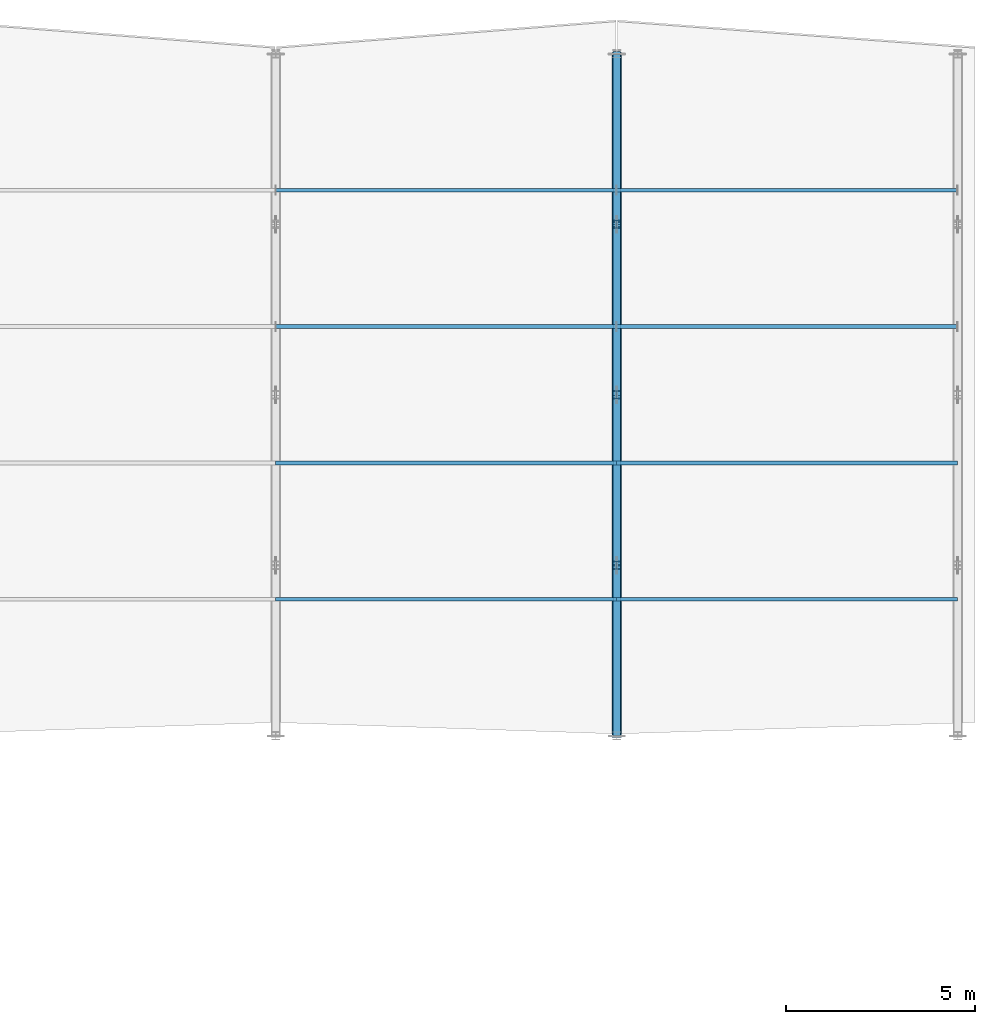
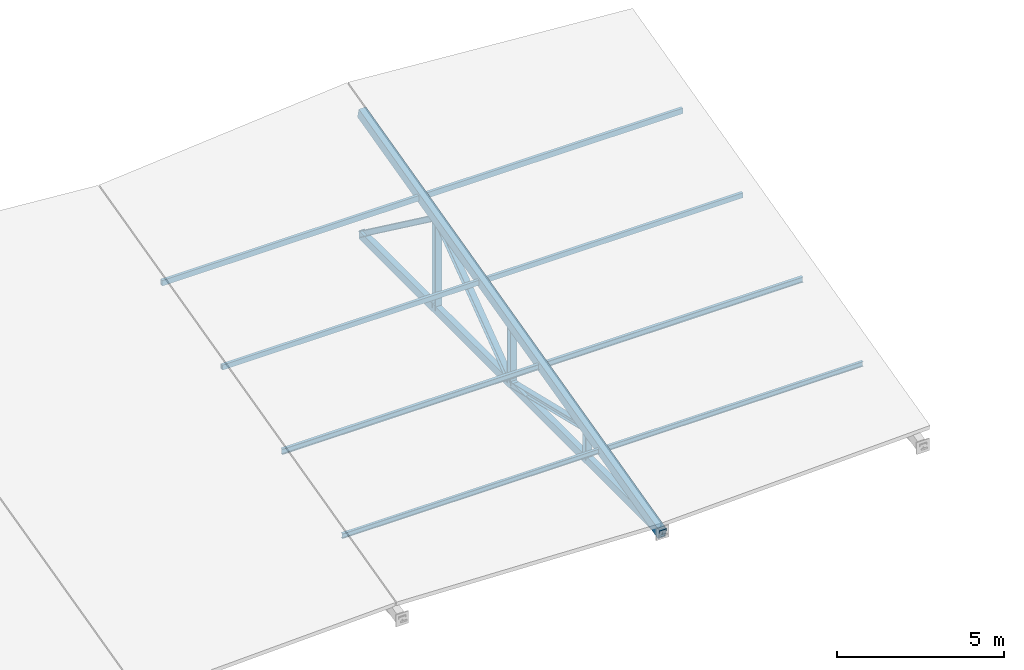
# One storey, part 10 of 36: 17 members.
"""IFC4 building model written with IfcOpenShell, lengths in metres."""

from ifc_helpers import new_model, si_unit, direction, frame, origin, origin_2d, place, context, subcontext, project, spatial, hollow_rectangle, i_section, extrude, material, material_profile, profile_set, type_object, element, save


model = new_model("IFC4")

# Units and contexts
model_context = context("Model", 3, precision=1e-05, world=origin(), true_north=direction((0.0, 1.0)))
body_context = subcontext(model_context, "Body", "Model", "MODEL_VIEW")
ifc_project = project(units=[si_unit("LENGTHUNIT", "METRE"), si_unit("AREAUNIT", "SQUARE_METRE"), si_unit("VOLUMEUNIT", "CUBIC_METRE"), si_unit("PLANEANGLEUNIT", "RADIAN"), si_unit("MASSUNIT", "GRAM", prefix="KILO")], contexts=[model_context])

# Site, building, storey
site_placement = place(None, origin())
site = spatial("IfcSite", under=ifc_project, at=site_placement, CompositionType="ELEMENT")
building_placement = place(site_placement, origin())
building = spatial("IfcBuilding", under=site, at=building_placement, Name="Montelvaro Courts of Justice", CompositionType="ELEMENT")
storey_placement = place(building_placement, frame((0.0, 0.0, 23.39990234375)))
storey = spatial("IfcBuildingStorey", under=building, at=storey_placement, Name="L05", CompositionType="ELEMENT", Elevation=23.39990234375)

# Members
ifc_material = material(Name="Steel S355", Category="steel")
ifc_material_profile_1 = material_profile(ifc_material, i_section(OverallWidth=0.199951171875, OverallDepth=0.18994140625, WebThickness=0.006591796875, FlangeThickness=0.010009765625, at=origin_2d()), Name="HEA 200")
ifc_profile_set_1 = profile_set([ifc_material_profile_1], Name="Steel S355")
member_type_1 = type_object("IfcMemberType", Name="Mem_HEA200_Brace", PredefinedType="BRACE", material=ifc_profile_set_1)
for number, where, z_axis, x_axis, name in (
    (1, (153.0, 78.0, -0.2998046875), (0.0, 0.97263439265, 0.232340995597), (-1.0, 0.0, 0.0), "Roof Truss Web MB-02 ROOF-V2-VTR07-W1"),
    (2, (153.0, 82.5, 0.775146484375), (0.0, 0.97263439265, -0.232340995597), (-1.0, 0.0, 0.0), "Roof Truss Web MB-02 ROOF-V2-VTR07-W2"),
):
    element("IfcMember", number, at=place(storey_placement, frame(where, z_axis=z_axis, x_axis=x_axis)), inside=storey, type_object=member_type_1, Name=name, PredefinedType="BRACE", context=body_context, shape_type="SweptSolid", body=[
        extrude(i_section(OverallWidth=0.199951171875, OverallDepth=0.18994140625, WebThickness=0.006591796875, FlangeThickness=0.010009765625, at=origin_2d()), origin(), (0.0, 0.0, 1.0), 4.626708984375),
    ])
for number, where, z_axis, x_axis, name in (
    (3, (153.0, 87.0, -0.2998046875), (0.0, 0.804273161752, 0.594259775928), (-1.0, 0.0, 0.0), "Roof Truss Web MB-02 ROOF-V2-VTR07-W3"),
    (4, (153.0, 91.5, 3.025146484375), (0.0, 0.804273161752, -0.594259775928), (-1.0, 0.0, 0.0), "Roof Truss Web MB-02 ROOF-V2-VTR07-W4"),
):
    element("IfcMember", number, at=place(storey_placement, frame(where, z_axis=z_axis, x_axis=x_axis)), inside=storey, type_object=member_type_1, Name=name, PredefinedType="BRACE", context=body_context, shape_type="SweptSolid", body=[
        extrude(i_section(OverallWidth=0.199951171875, OverallDepth=0.18994140625, WebThickness=0.006591796875, FlangeThickness=0.010009765625, at=origin_2d()), origin(), (0.0, 0.0, 1.0), 5.59521484375),
    ])
ifc_material_profile_2 = material_profile(ifc_material, i_section(OverallWidth=0.219970703125, OverallDepth=0.2099609375, WebThickness=0.007080078125, FlangeThickness=0.010986328125, at=origin_2d()), Name="HEA 220")
ifc_profile_set_2 = profile_set([ifc_material_profile_2], Name="Steel S355")
member_type_2 = type_object("IfcMemberType", Name="Mem_HEA220_Post", PredefinedType="POST", material=ifc_profile_set_2)
member_1_placement = place(storey_placement, frame((153.0, 82.5, -0.2998046875), z_axis=(0.0, 0.0, 1.0), x_axis=(1.0, 0.0, 0.0)))
element("IfcMember", 5, at=member_1_placement, inside=storey, type_object=member_type_2, Name="Roof Truss Post MP-03 ROOF-V2-VTR07-V1", PredefinedType="POST", context=body_context, shape_type="SweptSolid", body=[
    extrude(i_section(OverallWidth=0.219970703125, OverallDepth=0.2099609375, WebThickness=0.007080078125, FlangeThickness=0.010986328125, at=origin_2d()), origin(), (0.0, 0.0, 1.0), 1.074951171875),
])
member_2_placement = place(storey_placement, frame((153.0, 87.0, -0.2998046875), z_axis=(0.0, 0.0, 1.0), x_axis=(1.0, 0.0, 0.0)))
element("IfcMember", 6, at=member_2_placement, inside=storey, type_object=member_type_2, Name="Roof Truss Post MP-03 ROOF-V2-VTR07-V2", PredefinedType="POST", context=body_context, shape_type="SweptSolid", body=[
    extrude(i_section(OverallWidth=0.219970703125, OverallDepth=0.2099609375, WebThickness=0.007080078125, FlangeThickness=0.010986328125, at=origin_2d()), origin(), (0.0, 0.0, 1.0), 2.199951171875),
])
member_3_placement = place(storey_placement, frame((153.0, 91.5, -0.2998046875), z_axis=(0.0, 0.0, 1.0), x_axis=(1.0, 0.0, 0.0)))
element("IfcMember", 7, at=member_3_placement, inside=storey, type_object=member_type_2, Name="Roof Truss Post MP-03 ROOF-V2-VTR07-V3", PredefinedType="POST", context=body_context, shape_type="SweptSolid", body=[
    extrude(i_section(OverallWidth=0.219970703125, OverallDepth=0.2099609375, WebThickness=0.007080078125, FlangeThickness=0.010986328125, at=origin_2d()), origin(), (0.0, 0.0, 1.0), 3.324951171875),
])
ifc_material_profile_3 = material_profile(ifc_material, i_section(OverallWidth=0.091064453125, OverallDepth=0.179931640625, WebThickness=0.00537109375, FlangeThickness=0.008056640625, at=origin_2d()), Name="IPE 180")
ifc_profile_set_3 = profile_set([ifc_material_profile_3], Name="Steel S355")
member_type_3 = type_object("IfcMemberType", Name="Mem_IPE180_Purlin", PredefinedType="PURLIN", material=ifc_profile_set_3)
for number, where, z_axis, x_axis, name in (
    (8, (144.0, 81.60009765625, 0.550048828125), (1.0, 0.0, 0.0), (0.0, 1.0, 0.0), "Roof Purlin MR-01 ROOF-V2-PRL-06-1M"),
    (9, (153.0, 81.60009765625, 0.550048828125), (1.0, 0.0, 0.0), (0.0, 1.0, 0.0), "Roof Purlin MR-01 ROOF-V2-PRL-07-1M"),
):
    element("IfcMember", number, at=place(storey_placement, frame(where, z_axis=z_axis, x_axis=x_axis)), inside=storey, type_object=member_type_3, Name=name, PredefinedType="PURLIN", context=body_context, shape_type="SweptSolid", body=[
        extrude(i_section(OverallWidth=0.091064453125, OverallDepth=0.179931640625, WebThickness=0.00537109375, FlangeThickness=0.008056640625, at=origin_2d()), origin(), (0.0, 0.0, 1.0), 9.0),
    ])
ifc_material_profile_4 = material_profile(ifc_material, i_section(OverallWidth=0.10009765625, OverallDepth=0.199951171875, WebThickness=0.005615234375, FlangeThickness=0.008544921875, at=origin_2d()), Name="IPE 200")
ifc_profile_set_4 = profile_set([ifc_material_profile_4], Name="Steel S355")
member_type_4 = type_object("IfcMemberType", Name="Mem_IPE200_Purlin", PredefinedType="PURLIN", material=ifc_profile_set_4)
for number, where, z_axis, x_axis, name in (
    (10, (144.0, 85.199951171875, 1.4501953125), (1.0, 0.0, 0.0), (0.0, 1.0, 0.0), "Roof Purlin MR-02 ROOF-V2-PRL-06-2M"),
    (11, (153.0, 85.199951171875, 1.4501953125), (1.0, 0.0, 0.0), (0.0, 1.0, 0.0), "Roof Purlin MR-02 ROOF-V2-PRL-07-2M"),
):
    element("IfcMember", number, at=place(storey_placement, frame(where, z_axis=z_axis, x_axis=x_axis)), inside=storey, type_object=member_type_4, Name=name, PredefinedType="PURLIN", context=body_context, shape_type="SweptSolid", body=[
        extrude(i_section(OverallWidth=0.10009765625, OverallDepth=0.199951171875, WebThickness=0.005615234375, FlangeThickness=0.008544921875, at=origin_2d()), origin(), (0.0, 0.0, 1.0), 9.0),
    ])
ifc_material_profile_5 = material_profile(ifc_material, hollow_rectangle(XDim=0.10009765625, YDim=0.179931640625, WallThickness=0.008056640625, at=origin_2d()), Name="RHS 180x100x8")
ifc_profile_set_5 = profile_set([ifc_material_profile_5], Name="Steel S355")
member_type_5 = type_object("IfcMemberType", Name="Mem_RHS180_Purlin", PredefinedType="PURLIN", material=ifc_profile_set_5)
for number, where, z_axis, x_axis, name in (
    (12, (144.0, 88.800048828125, 2.35009765625), (1.0, 0.0, 0.0), (0.0, 1.0, 0.0), "Roof Purlin MR-03 ROOF-V2-PRL-06-3M"),
    (13, (153.0, 88.800048828125, 2.35009765625), (1.0, 0.0, 0.0), (0.0, 1.0, 0.0), "Roof Purlin MR-03 ROOF-V2-PRL-07-3M"),
):
    element("IfcMember", number, at=place(storey_placement, frame(where, z_axis=z_axis, x_axis=x_axis)), inside=storey, type_object=member_type_5, Name=name, PredefinedType="PURLIN", context=body_context, shape_type="SweptSolid", body=[
        extrude(hollow_rectangle(XDim=0.10009765625, YDim=0.179931640625, WallThickness=0.008056640625, at=origin_2d()), origin(), (0.0, 0.0, 1.0), 9.0),
    ])
ifc_material_profile_6 = material_profile(ifc_material, hollow_rectangle(XDim=0.10009765625, YDim=0.199951171875, WallThickness=0.008056640625, at=origin_2d()), Name="RHS 200x100x8")
ifc_profile_set_6 = profile_set([ifc_material_profile_6], Name="Steel S355")
member_type_6 = type_object("IfcMemberType", Name="Mem_RHS200_Purlin", PredefinedType="PURLIN", material=ifc_profile_set_6)
for number, where, z_axis, x_axis, name in (
    (14, (144.0, 92.39990234375, 3.25), (1.0, 0.0, 0.0), (0.0, 1.0, 0.0), "Roof Purlin MR-04 ROOF-V2-PRL-06-4M"),
    (15, (153.0, 92.39990234375, 3.25), (1.0, 0.0, 0.0), (0.0, 1.0, 0.0), "Roof Purlin MR-04 ROOF-V2-PRL-07-4M"),
):
    element("IfcMember", number, at=place(storey_placement, frame(where, z_axis=z_axis, x_axis=x_axis)), inside=storey, type_object=member_type_6, Name=name, PredefinedType="PURLIN", context=body_context, shape_type="SweptSolid", body=[
        extrude(hollow_rectangle(XDim=0.10009765625, YDim=0.199951171875, WallThickness=0.008056640625, at=origin_2d()), origin(), (0.0, 0.0, 1.0), 9.0),
    ])
ifc_material_profile_7 = material_profile(ifc_material, hollow_rectangle(XDim=0.199951171875, YDim=0.300048828125, WallThickness=0.012451171875, at=origin_2d()), Name="RHS 300x200x12.5")
ifc_profile_set_7 = profile_set([ifc_material_profile_7], Name="Steel S355")
member_type_7 = type_object("IfcMemberType", Name="Mem_RHS300_Chord", PredefinedType="CHORD", material=ifc_profile_set_7)
member_4_placement = place(storey_placement, frame((153.0, 78.0, -0.2998046875), z_axis=(0.0, 1.0, 0.0), x_axis=(-1.0, 0.0, 0.0)))
element("IfcMember", 16, at=member_4_placement, inside=storey, type_object=member_type_7, Name="Roof Truss ROOF-V2-VTR07 Bottom Chord", PredefinedType="CHORD", context=body_context, shape_type="SweptSolid", body=[
    extrude(hollow_rectangle(XDim=0.199951171875, YDim=0.300048828125, WallThickness=0.012451171875, at=origin_2d()), origin(), (0.0, 0.0, 1.0), 18.0),
])
ifc_material_profile_8 = material_profile(ifc_material, hollow_rectangle(XDim=0.25, YDim=0.35009765625, WallThickness=0.012451171875, at=origin_2d()), Name="RHS 350x250x12.5")
ifc_profile_set_8 = profile_set([ifc_material_profile_8], Name="Steel S355")
member_type_8 = type_object("IfcMemberType", Name="Mem_RHS350_Chord", PredefinedType="CHORD", material=ifc_profile_set_8)
member_5_placement = place(storey_placement, frame((153.0, 78.0, -0.349853515625), z_axis=(0.0, 0.970142500145, 0.242535625036), x_axis=(-1.0, 0.0, 0.0)))
element("IfcMember", 17, at=member_5_placement, inside=storey, type_object=member_type_8, Name="Roof Truss ROOF-V2-VTR07 Top Chord", PredefinedType="CHORD", context=body_context, shape_type="SweptSolid", body=[
    extrude(hollow_rectangle(XDim=0.25, YDim=0.35009765625, WallThickness=0.012451171875, at=origin_2d()), origin(), (0.0, 0.0, 1.0), 18.553955078125),
])

save(model, "model.ifc")
